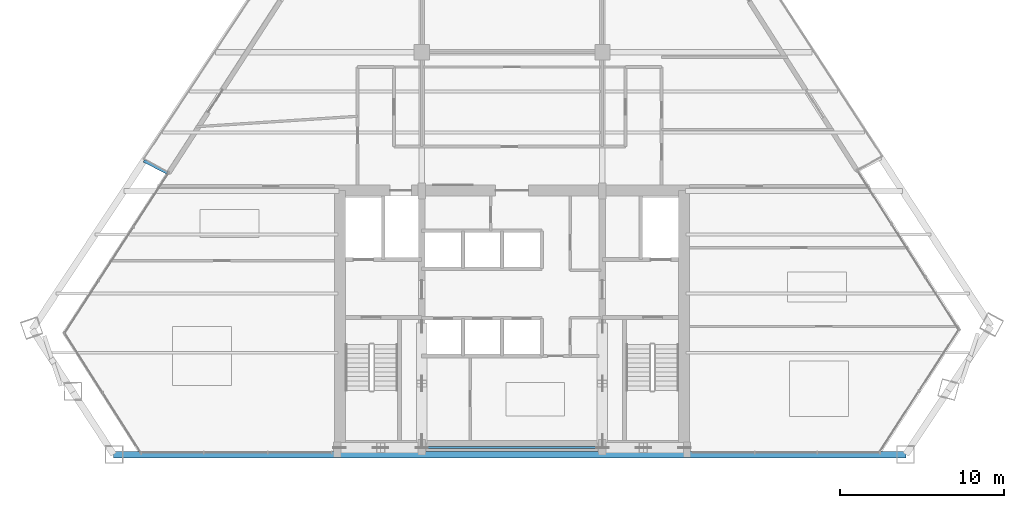
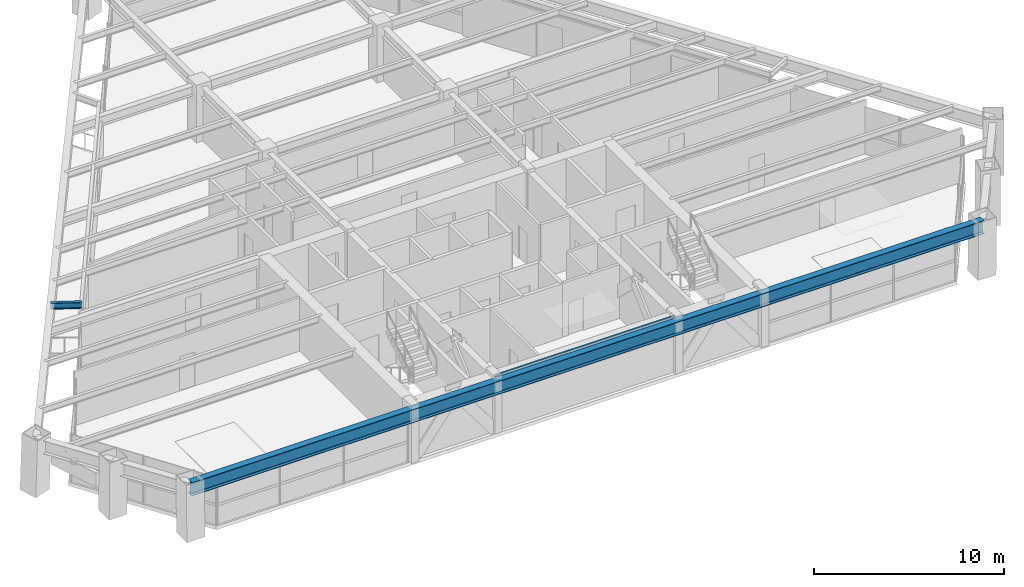
# One storey, part 3 of 15: 3 beams.
"""IFC4 building model written with IfcOpenShell, lengths in metres."""

from ifc_helpers import new_model, si_unit, direction, frame, origin, origin_2d, place, context, subcontext, project, spatial, i_section, extrude, source, transform, mapped, material, material_profile, profile_set, type_object, type_shapes, element, save


model = new_model("IFC4")

# Units and contexts
model_context = context("Model", 3, precision=1e-05, world=origin(), true_north=direction((0.0, 1.0)))
body_context = subcontext(model_context, "Body", "Model", "MODEL_VIEW")
ifc_project = project(units=[si_unit("LENGTHUNIT", "METRE"), si_unit("AREAUNIT", "SQUARE_METRE"), si_unit("VOLUMEUNIT", "CUBIC_METRE"), si_unit("PLANEANGLEUNIT", "RADIAN"), si_unit("MASSUNIT", "GRAM", prefix="KILO")], contexts=[model_context])

# Site, building, storey
site_placement = place(None, origin())
site = spatial("IfcSite", under=ifc_project, at=site_placement, CompositionType="ELEMENT")
building_placement = place(site_placement, origin())
building = spatial("IfcBuilding", under=site, at=building_placement, Name="Varnakhor Terracotta Tower", CompositionType="ELEMENT")
storey_placement = place(building_placement, frame((0.0, 0.0, 144.10009765625)))
storey = spatial("IfcBuildingStorey", under=building, at=storey_placement, Name="L36", CompositionType="ELEMENT", Elevation=144.10009765625)

# Beams
ifc_material = material(Name="Steel S355", Category="steel")
ifc_material_profile_1 = material_profile(ifc_material, i_section(OverallWidth=0.1201171875, OverallDepth=0.239990234375, WebThickness=0.006103515625, FlangeThickness=0.009765625, FilletRadius=0.01806640625, at=origin_2d()), Name="IPE240")
ifc_profile_set_1 = profile_set([ifc_material_profile_1], Name="Steel S355")
beam_type_1 = type_object("IfcBeamType", Name="LNT-IPE240", PredefinedType="LINTEL", material=ifc_profile_set_1)
shared_shape_1 = source(origin(), body_context, "Body", "SweptSolid", [
    extrude(i_section(OverallWidth=0.1201171875, OverallDepth=0.239990234375, WebThickness=0.006103515625, FlangeThickness=0.009765625, FilletRadius=0.01806640625, at=origin_2d()), origin(), (0.0, 0.0, 1.0), 11.0),
])
type_shapes(beam_type_1, [shared_shape_1])
beam_1_placement = place(storey_placement, frame((-5.5, 0.419921875, 3.349853515625), z_axis=(1.0, 0.0, 0.0), x_axis=(0.0, 1.0, 0.0)))
element("IfcBeam", 1, at=beam_1_placement, inside=storey, type_object=beam_type_1, Name="L36 Core South Coupling Lintel", PredefinedType="LINTEL", context=body_context, shape_type="MappedRepresentation", body=[
    mapped(shared_shape_1, transform((0.0, 0.0, 0.0), scale=1.0)),
])
ifc_material_profile_2 = material_profile(ifc_material, i_section(OverallWidth=0.39990234375, OverallDepth=0.85498046875, WebThickness=0.01806640625, FlangeThickness=0.029052734375, FilletRadius=0.01806640625, at=origin_2d()), Name="W33X201")
ifc_profile_set_2 = profile_set([ifc_material_profile_2], Name="Steel S355")
beam_type_2 = type_object("IfcBeamType", Name="BM-W33X201", PredefinedType="BEAM", material=ifc_profile_set_2)
shared_shape_2 = source(origin(), body_context, "Body", "SweptSolid", [
    extrude(i_section(OverallWidth=0.39990234375, OverallDepth=0.85498046875, WebThickness=0.01806640625, FlangeThickness=0.029052734375, FilletRadius=0.01806640625, at=origin_2d()), origin(), (0.0, 0.0, 1.0), 48.236083984375),
])
beam_2_placement = place(storey_placement, frame((-24.259765625, 0.0, 3.04248046875), z_axis=(1.0, 0.0, 0.0), x_axis=(0.0, 1.0, 0.0)))
element("IfcBeam", 2, at=beam_2_placement, inside=storey, type_object=beam_type_2, Name="L36 Perimeter Spandrel 1", PredefinedType="BEAM", context=body_context, shape_type="MappedRepresentation", body=[
    mapped(shared_shape_2, transform((0.0, 0.0, 0.0), scale=1.0)),
])
ifc_material_profile_3 = material_profile(ifc_material, i_section(OverallWidth=0.179931640625, OverallDepth=0.39990234375, WebThickness=0.008544921875, FlangeThickness=0.013427734375, FilletRadius=0.01806640625, at=origin_2d()), Name="IPE400")
ifc_profile_set_3 = profile_set([ifc_material_profile_3], Name="Steel S355")
beam_type_3 = type_object("IfcBeamType", Name="JST-IPE400", PredefinedType="JOIST", material=ifc_profile_set_3)
shared_shape_3 = source(origin(), body_context, "Body", "SweptSolid", [
    extrude(i_section(OverallWidth=0.179931640625, OverallDepth=0.39990234375, WebThickness=0.008544921875, FlangeThickness=0.013427734375, FilletRadius=0.01806640625, at=origin_2d()), origin(), (0.0, 0.0, 1.0), 1.62255859375),
])
beam_3_placement = place(storey_placement, frame((-20.97265625, 17.14990234375, 3.27001953125), z_axis=(-0.890633790382, 0.454721289835, 0.0), x_axis=(-0.454721289835, -0.890633790382, 0.0)))
element("IfcBeam", 3, at=beam_3_placement, inside=storey, type_object=beam_type_3, Name="L37 W Loggia Tie Beam 1", PredefinedType="JOIST", context=body_context, shape_type="MappedRepresentation", body=[
    mapped(shared_shape_3, transform((0.0, 0.0, 0.0), scale=1.0)),
])

save(model, "model.ifc")
